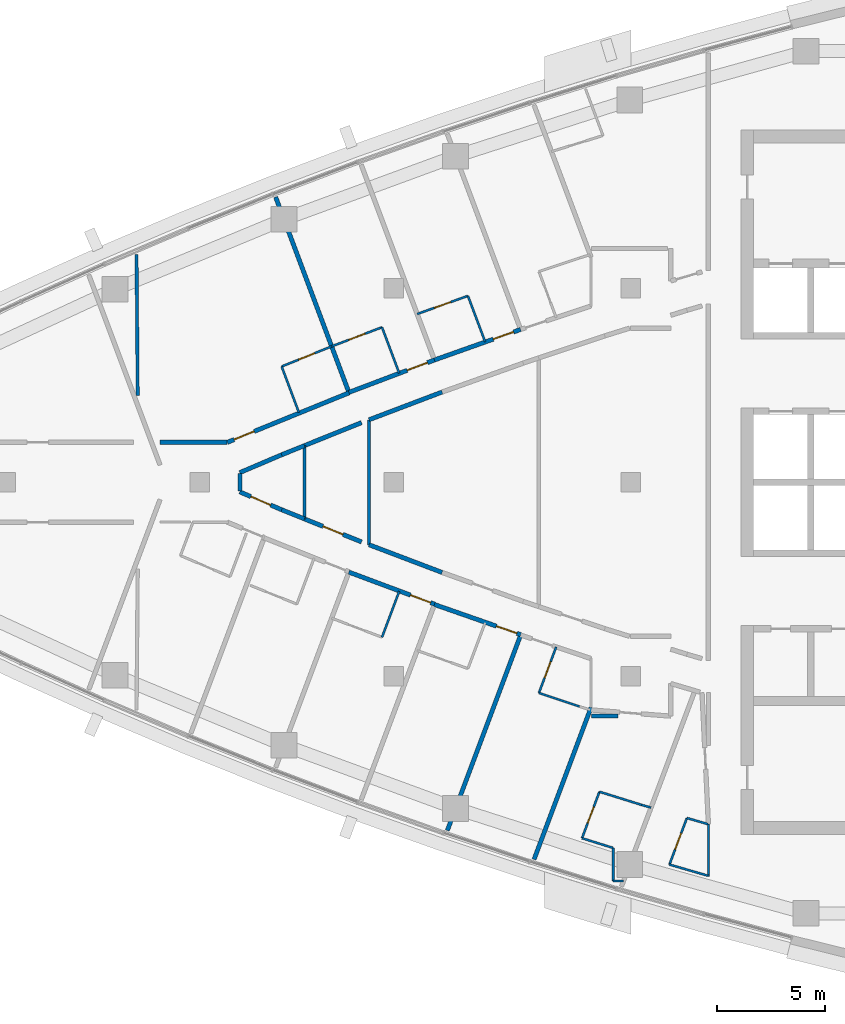
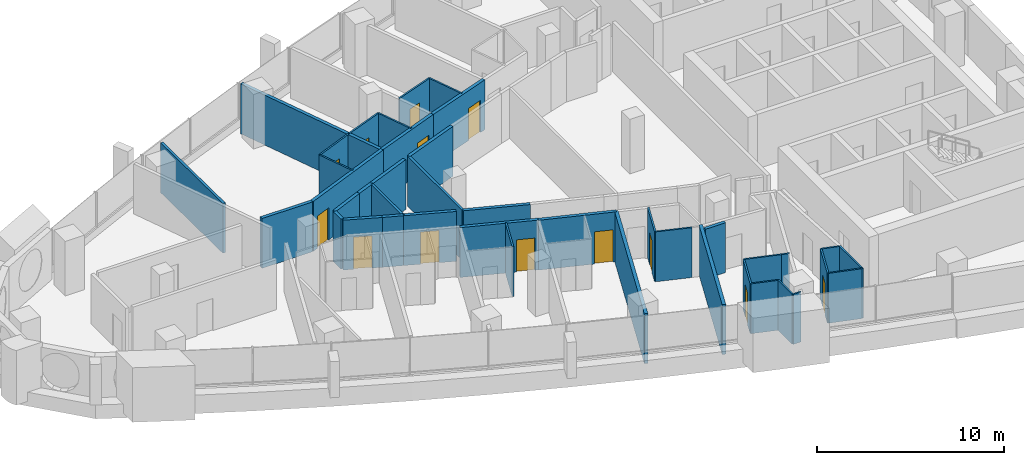
# One storey, part 9 of 16: 41 walls, 13 doors, 13 openings.
"""IFC4 building model written with IfcOpenShell, lengths in metres."""

from ifc_helpers import new_model, si_unit, direction, frame, frame_2d, origin, place, context, subcontext, project, spatial, rectangle, extrude, material, layer, layer_set, type_object, element, fill, save


model = new_model("IFC4")

# Units and contexts
model_context = context("Model", 3, precision=1e-05, world=origin(), true_north=direction((0.0, 1.0)))
body_context = subcontext(model_context, "Body", "Model", "MODEL_VIEW")
ifc_project = project(units=[si_unit("LENGTHUNIT", "METRE"), si_unit("AREAUNIT", "SQUARE_METRE"), si_unit("VOLUMEUNIT", "CUBIC_METRE"), si_unit("PLANEANGLEUNIT", "RADIAN"), si_unit("MASSUNIT", "GRAM", prefix="KILO")], contexts=[model_context])

# Site, building, storey
site_placement = place(None, origin())
site = spatial("IfcSite", under=ifc_project, at=site_placement, CompositionType="ELEMENT")
building_placement = place(site_placement, origin())
building = spatial("IfcBuilding", under=site, at=building_placement, Name="Ostrand Prow Hotel Tower", CompositionType="ELEMENT")
storey_placement = place(building_placement, frame((0.0, 0.0, 249.199951171875)))
storey = spatial("IfcBuildingStorey", under=building, at=storey_placement, Name="L63", CompositionType="ELEMENT", Elevation=249.199951171875)

# Wall, opening, door
ifc_material_1 = material(Name="Plasterboard partition")
ifc_layer_1 = layer(ifc_material_1, 0.10009765625)
ifc_layer_set_1 = layer_set([ifc_layer_1], Name="Plasterboard partition")
wall_type_1 = type_object("IfcWallType", Name="Partition 100 bathroom wall", PredefinedType="PARTITIONING", material=ifc_layer_set_1)
wall_1_placement = place(storey_placement, frame((28.79296875, 5.37158203125, 0.0), z_axis=(0.0, 0.0, 1.0), x_axis=(0.92761232595, 0.373544338394, 0.0)))
wall_1 = element("IfcWall", 1, at=wall_1_placement, inside=storey, type_object=wall_type_1, Name="BATHROOM WALL", PredefinedType="PARTITIONING", context=body_context, shape_type="SweptSolid", body=[
    extrude(rectangle(XDim=2.50048828125, YDim=0.10009765625, at=frame_2d((1.250244140625, 0.0))), origin(), (0.0, 0.0, 1.0), 3.25),
])
opening_1_placement = place(wall_1_placement, frame((0.85009765625, 0.0, 0.0)))
opening_1 = element("IfcOpeningElement", 2, at=opening_1_placement, cuts=wall_1, Name="Opening D2", PredefinedType="OPENING", context=body_context, shape_type="SweptSolid", body=[
    extrude(rectangle(XDim=0.800048828125, YDim=2.10009765625, at=frame_2d((0.39990234375, 1.050048828125))), frame((0.0, 0.06005859375, 0.0), z_axis=(0.0, -1.0, 0.0), x_axis=(1.0, 0.0, 0.0)), (0.0, 0.0, 1.0), 0.1201171875),
])
ifc_material_2 = material(Name="Timber door leaf", Category="wood")
door_type_1 = type_object("IfcDoorType", Name="Bathroom door 800", OperationType="SINGLE_SWING_LEFT", PredefinedType="DOOR", material=ifc_material_2)
door_1_placement = place(opening_1_placement, origin())
door_1 = element("IfcDoor", 3, at=door_1_placement, inside=storey, type_object=door_type_1, Name="DOOR", OperationType="SINGLE_SWING_LEFT", OverallHeight=2.10009765625, OverallWidth=0.800048828125, PredefinedType="DOOR", context=body_context, shape_type="SweptSolid", body=[
    extrude(rectangle(XDim=0.800048828125, YDim=2.10009765625, at=frame_2d((0.39990234375, 1.050048828125))), frame((0.0, 0.02490234375, 0.0), z_axis=(0.0, -1.0, 0.0), x_axis=(1.0, 0.0, 0.0)), (0.0, 0.0, 1.0), 0.050048828125),
])
fill(opening_1, door_1)

# Wall
wall_2_placement = place(storey_placement, frame((29.592529296875, 3.23876953125, 0.0), z_axis=(0.0, 0.0, 1.0), x_axis=(-0.351158682313, 0.936315961541, 0.0)))
element("IfcWall", 4, at=wall_2_placement, inside=storey, type_object=wall_type_1, Name="BATHROOM WALL", PredefinedType="PARTITIONING", context=body_context, shape_type="SweptSolid", body=[
    extrude(rectangle(XDim=2.277587890625, YDim=0.10009765625, at=frame_2d((1.138671875, 0.0))), origin(), (0.0, 0.0, 1.0), 3.25),
])

# Wall, opening, door
wall_3_placement = place(storey_placement, frame((31.117431640625, 6.3076171875, 0.0), z_axis=(0.0, 0.0, 1.0), x_axis=(0.93495051617, 0.354778145202, 0.0)))
wall_3 = element("IfcWall", 5, at=wall_3_placement, inside=storey, type_object=wall_type_1, Name="BATHROOM WALL", PredefinedType="PARTITIONING", context=body_context, shape_type="SweptSolid", body=[
    extrude(rectangle(XDim=2.49462890625, YDim=0.10009765625, at=frame_2d((1.247314453125, 0.0))), origin(), (0.0, 0.0, 1.0), 3.25),
])
opening_2_placement = place(wall_3_placement, frame((0.85009765625, 0.0, 0.0)))
opening_2 = element("IfcOpeningElement", 6, at=opening_2_placement, cuts=wall_3, Name="Opening D2", PredefinedType="OPENING", context=body_context, shape_type="SweptSolid", body=[
    extrude(rectangle(XDim=0.800048828125, YDim=2.10009765625, at=frame_2d((0.39990234375, 1.050048828125))), frame((0.0, 0.06005859375, 0.0), z_axis=(0.0, -1.0, 0.0), x_axis=(1.0, 0.0, 0.0)), (0.0, 0.0, 1.0), 0.1201171875),
])
door_2_placement = place(opening_2_placement, origin())
door_2 = element("IfcDoor", 7, at=door_2_placement, inside=storey, type_object=door_type_1, Name="DOOR", OperationType="SINGLE_SWING_LEFT", OverallHeight=2.10009765625, OverallWidth=0.800048828125, PredefinedType="DOOR", context=body_context, shape_type="SweptSolid", body=[
    extrude(rectangle(XDim=0.800048828125, YDim=2.10009765625, at=frame_2d((0.39990234375, 1.050048828125))), frame((0.0, 0.02490234375, 0.0), z_axis=(0.0, -1.0, 0.0), x_axis=(1.0, 0.0, 0.0)), (0.0, 0.0, 1.0), 0.050048828125),
])
fill(opening_2, door_2)

# Wall
wall_4_placement = place(storey_placement, frame((33.449951171875, 7.192626953125, 0.0), z_axis=(0.0, 0.0, 1.0), x_axis=(0.351135191353, -0.936324771323, 0.0)))
element("IfcWall", 8, at=wall_4_placement, inside=storey, type_object=wall_type_1, Name="BATHROOM WALL", PredefinedType="PARTITIONING", context=body_context, shape_type="SweptSolid", body=[
    extrude(rectangle(XDim=2.277099609375, YDim=0.10009765625, at=frame_2d((1.138671875, 0.0))), origin(), (0.0, 0.0, 1.0), 3.25),
])

# Wall, opening, door
wall_5_placement = place(storey_placement, frame((35.081298828125, 7.80810546875, 0.0), z_axis=(0.0, 0.0, 1.0), x_axis=(0.941896455552, 0.335903359641, 0.0)))
wall_5 = element("IfcWall", 9, at=wall_5_placement, inside=storey, type_object=wall_type_1, Name="BATHROOM WALL", PredefinedType="PARTITIONING", context=body_context, shape_type="SweptSolid", body=[
    extrude(rectangle(XDim=2.500244140625, YDim=0.10009765625, at=frame_2d((1.25, 0.0))), origin(), (0.0, 0.0, 1.0), 3.25),
])
opening_3_placement = place(wall_5_placement, frame((0.85009765625, 0.0, 0.0)))
opening_3 = element("IfcOpeningElement", 10, at=opening_3_placement, cuts=wall_5, Name="Opening D2", PredefinedType="OPENING", context=body_context, shape_type="SweptSolid", body=[
    extrude(rectangle(XDim=0.800048828125, YDim=2.10009765625, at=frame_2d((0.39990234375, 1.050048828125))), frame((0.0, 0.06005859375, 0.0), z_axis=(0.0, -1.0, 0.0), x_axis=(1.0, 0.0, 0.0)), (0.0, 0.0, 1.0), 0.1201171875),
])
door_3_placement = place(opening_3_placement, origin())
door_3 = element("IfcDoor", 11, at=door_3_placement, inside=storey, type_object=door_type_1, Name="DOOR", OperationType="SINGLE_SWING_LEFT", OverallHeight=2.10009765625, OverallWidth=0.800048828125, PredefinedType="DOOR", context=body_context, shape_type="SweptSolid", body=[
    extrude(rectangle(XDim=0.800048828125, YDim=2.10009765625, at=frame_2d((0.39990234375, 1.050048828125))), frame((0.0, 0.02490234375, 0.0), z_axis=(0.0, -1.0, 0.0), x_axis=(1.0, 0.0, 0.0)), (0.0, 0.0, 1.0), 0.050048828125),
])
fill(opening_3, door_3)

# Walls
for number, where, z_axis, x_axis, name in (
    (12, (37.436279296875, 8.647705078125, 0.0), (0.0, 0.0, 1.0), (0.351229183496, -0.936289517543, 0.0), "BATHROOM WALL"),
    (13, (34.24951171875, -5.060546875, 0.0), (0.0, 0.0, 1.0), (-0.351135191353, -0.936324771323, 0.0), "BATHROOM WALL"),
):
    element("IfcWall", number, at=place(storey_placement, frame(where, z_axis=z_axis, x_axis=x_axis)), inside=storey, type_object=wall_type_1, Name=name, PredefinedType="PARTITIONING", context=body_context, shape_type="SweptSolid", body=[
        extrude(rectangle(XDim=2.277099609375, YDim=0.10009765625, at=frame_2d((1.138671875, 0.0))), origin(), (0.0, 0.0, 1.0), 3.25),
    ])

# Wall, opening, door
wall_6_placement = place(storey_placement, frame((40.731689453125, -9.778564453125, 0.0), z_axis=(0.0, 0.0, 1.0), x_axis=(0.351146927505, 0.936320370014, 0.0)))
wall_6 = element("IfcWall", 14, at=wall_6_placement, inside=storey, type_object=wall_type_1, Name="BATHROOM WALL", PredefinedType="PARTITIONING", context=body_context, shape_type="SweptSolid", body=[
    extrude(rectangle(XDim=2.2783203125, YDim=0.10009765625, at=frame_2d((1.13916015625, 0.0))), origin(), (0.0, 0.0, 1.0), 3.25),
])
opening_4_placement = place(wall_6_placement, frame((0.75, 0.0, 0.0)))
opening_4 = element("IfcOpeningElement", 15, at=opening_4_placement, cuts=wall_6, Name="Opening D2", PredefinedType="OPENING", context=body_context, shape_type="SweptSolid", body=[
    extrude(rectangle(XDim=0.800048828125, YDim=2.10009765625, at=frame_2d((0.39990234375, 1.050048828125))), frame((0.0, 0.06005859375, 0.0), z_axis=(0.0, -1.0, 0.0), x_axis=(1.0, 0.0, 0.0)), (0.0, 0.0, 1.0), 0.1201171875),
])
door_4_placement = place(opening_4_placement, origin())
door_4 = element("IfcDoor", 16, at=door_4_placement, inside=storey, type_object=door_type_1, Name="DOOR", OperationType="SINGLE_SWING_LEFT", OverallHeight=2.10009765625, OverallWidth=0.800048828125, PredefinedType="DOOR", context=body_context, shape_type="SweptSolid", body=[
    extrude(rectangle(XDim=0.800048828125, YDim=2.10009765625, at=frame_2d((0.39990234375, 1.050048828125))), frame((0.0, 0.02490234375, 0.0), z_axis=(0.0, -1.0, 0.0), x_axis=(1.0, 0.0, 0.0)), (0.0, 0.0, 1.0), 0.050048828125),
])
fill(opening_4, door_4)

# Walls
wall_7_placement = place(storey_placement, frame((42.62060546875, -10.409423828125, 0.0), z_axis=(0.0, 0.0, 1.0), x_axis=(-0.948499248693, 0.316779379426, 0.0)))
element("IfcWall", 17, at=wall_7_placement, inside=storey, type_object=wall_type_1, Name="BATHROOM WALL", PredefinedType="PARTITIONING", context=body_context, shape_type="SweptSolid", body=[
    extrude(rectangle(XDim=1.991455078125, YDim=0.10009765625, at=frame_2d((0.99560546875, 0.0))), origin(), (0.0, 0.0, 1.0), 3.25),
])
wall_8_placement = place(storey_placement, frame((44.1767578125, -18.501220703125, 0.0), z_axis=(0.0, 0.0, 1.0), x_axis=(0.0, 1.0, 0.0)))
element("IfcWall", 18, at=wall_8_placement, inside=storey, type_object=wall_type_1, Name="BATHROOM WALL", PredefinedType="PARTITIONING", context=body_context, shape_type="SweptSolid", body=[
    extrude(rectangle(XDim=1.531005859375, YDim=0.10009765625, at=frame_2d((0.765625, 0.0))), origin(), (0.0, 0.0, 1.0), 3.25),
])
wall_9_placement = place(storey_placement, frame((44.1767578125, -16.97021484375, 0.0), z_axis=(0.0, 0.0, 1.0), x_axis=(-0.954631901927, 0.297788401091, 0.0)))
element("IfcWall", 19, at=wall_9_placement, inside=storey, type_object=wall_type_1, Name="BATHROOM WALL", PredefinedType="PARTITIONING", context=body_context, shape_type="SweptSolid", body=[
    extrude(rectangle(XDim=1.51416015625, YDim=0.10009765625, at=frame_2d((0.757080078125, 0.0))), origin(), (0.0, 0.0, 1.0), 3.25),
])

# Wall, opening, door
wall_10_placement = place(storey_placement, frame((42.731201171875, -16.519287109375, 0.0), z_axis=(0.0, 0.0, 1.0), x_axis=(0.351111827312, 0.936333532841, 0.0)))
wall_10 = element("IfcWall", 20, at=wall_10_placement, inside=storey, type_object=wall_type_1, Name="BATHROOM WALL", PredefinedType="PARTITIONING", context=body_context, shape_type="SweptSolid", body=[
    extrude(rectangle(XDim=2.3037109375, YDim=0.10009765625, at=frame_2d((1.15185546875, 0.0))), origin(), (0.0, 0.0, 1.0), 3.25),
])
opening_5_placement = place(wall_10_placement, frame((0.75, 0.0, 0.0)))
opening_5 = element("IfcOpeningElement", 21, at=opening_5_placement, cuts=wall_10, Name="Opening D2", PredefinedType="OPENING", context=body_context, shape_type="SweptSolid", body=[
    extrude(rectangle(XDim=0.800048828125, YDim=2.10009765625, at=frame_2d((0.39990234375, 1.050048828125))), frame((0.0, 0.06005859375, 0.0), z_axis=(0.0, -1.0, 0.0), x_axis=(1.0, 0.0, 0.0)), (0.0, 0.0, 1.0), 0.1201171875),
])
door_5_placement = place(opening_5_placement, origin())
door_5 = element("IfcDoor", 22, at=door_5_placement, inside=storey, type_object=door_type_1, Name="DOOR", OperationType="SINGLE_SWING_LEFT", OverallHeight=2.10009765625, OverallWidth=0.800048828125, PredefinedType="DOOR", context=body_context, shape_type="SweptSolid", body=[
    extrude(rectangle(XDim=0.800048828125, YDim=2.10009765625, at=frame_2d((0.39990234375, 1.050048828125))), frame((0.0, 0.02490234375, 0.0), z_axis=(0.0, -1.0, 0.0), x_axis=(1.0, 0.0, 0.0)), (0.0, 0.0, 1.0), 0.050048828125),
])
fill(opening_5, door_5)

# Walls
wall_11_placement = place(storey_placement, frame((43.5400390625, -14.3623046875, 0.0), z_axis=(0.0, 0.0, 1.0), x_axis=(0.954642821531, -0.297753393432, 0.0)))
element("IfcWall", 23, at=wall_11_placement, inside=storey, type_object=wall_type_1, Name="BATHROOM WALL", PredefinedType="PARTITIONING", context=body_context, shape_type="SweptSolid", body=[
    extrude(rectangle(XDim=2.05224609375, YDim=0.10009765625, at=frame_2d((1.026123046875, 0.0))), origin(), (0.0, 0.0, 1.0), 3.25),
])
wall_12_placement = place(storey_placement, frame((45.499267578125, -14.973388671875, 0.0), z_axis=(0.0, 0.0, 1.0), x_axis=(0.960560469191, -0.278071186978, 0.0)))
element("IfcWall", 24, at=wall_12_placement, inside=storey, type_object=wall_type_1, Name="BATHROOM WALL", PredefinedType="PARTITIONING", context=body_context, shape_type="SweptSolid", body=[
    extrude(rectangle(XDim=0.4521484375, YDim=0.10009765625, at=frame_2d((0.22607421875, 0.0))), origin(), (0.0, 0.0, 1.0), 3.25),
])
wall_13_placement = place(storey_placement, frame((44.658203125, -18.501220703125, 0.0), z_axis=(0.0, 0.0, 1.0), x_axis=(-1.0, 0.0, 0.0)))
element("IfcWall", 25, at=wall_13_placement, inside=storey, type_object=wall_type_1, Name="BATHROOM WALL", PredefinedType="PARTITIONING", context=body_context, shape_type="SweptSolid", body=[
    extrude(rectangle(XDim=0.4814453125, YDim=0.10009765625, at=frame_2d((0.24072265625, 0.0))), origin(), (0.0, 0.0, 1.0), 3.25),
])

# Wall, opening, door
wall_14_placement = place(storey_placement, frame((46.78759765625, -17.741455078125, 0.0), z_axis=(0.0, 0.0, 1.0), x_axis=(0.351158236187, 0.936316128857, 0.0)))
wall_14 = element("IfcWall", 26, at=wall_14_placement, inside=storey, type_object=wall_type_1, Name="BATHROOM WALL", PredefinedType="PARTITIONING", context=body_context, shape_type="SweptSolid", body=[
    extrude(rectangle(XDim=2.306884765625, YDim=0.10009765625, at=frame_2d((1.1533203125, 0.0))), origin(), (0.0, 0.0, 1.0), 3.25),
])
opening_6_placement = place(wall_14_placement, frame((0.75, 0.0, 0.0)))
opening_6 = element("IfcOpeningElement", 27, at=opening_6_placement, cuts=wall_14, Name="Opening D2", PredefinedType="OPENING", context=body_context, shape_type="SweptSolid", body=[
    extrude(rectangle(XDim=0.800048828125, YDim=2.10009765625, at=frame_2d((0.39990234375, 1.050048828125))), frame((0.0, 0.06005859375, 0.0), z_axis=(0.0, -1.0, 0.0), x_axis=(1.0, 0.0, 0.0)), (0.0, 0.0, 1.0), 0.1201171875),
])
door_6_placement = place(opening_6_placement, origin())
door_6 = element("IfcDoor", 28, at=door_6_placement, inside=storey, type_object=door_type_1, Name="DOOR", OperationType="SINGLE_SWING_LEFT", OverallHeight=2.10009765625, OverallWidth=0.800048828125, PredefinedType="DOOR", context=body_context, shape_type="SweptSolid", body=[
    extrude(rectangle(XDim=0.800048828125, YDim=2.10009765625, at=frame_2d((0.39990234375, 1.050048828125))), frame((0.0, 0.02490234375, 0.0), z_axis=(0.0, -1.0, 0.0), x_axis=(1.0, 0.0, 0.0)), (0.0, 0.0, 1.0), 0.050048828125),
])
fill(opening_6, door_6)

# Walls
wall_15_placement = place(storey_placement, frame((47.59765625, -15.58154296875, 0.0), z_axis=(0.0, 0.0, 1.0), x_axis=(0.960468222897, -0.278389642057, 0.0)))
element("IfcWall", 29, at=wall_15_placement, inside=storey, type_object=wall_type_1, Name="BATHROOM WALL", PredefinedType="PARTITIONING", context=body_context, shape_type="SweptSolid", body=[
    extrude(rectangle(XDim=1.01904296875, YDim=0.10009765625, at=frame_2d((0.509521484375, 0.0))), origin(), (0.0, 0.0, 1.0), 3.25),
])
wall_16_placement = place(storey_placement, frame((48.57763671875, -18.26025390625, 0.0), z_axis=(0.0, 0.0, 1.0), x_axis=(-0.960473980386, 0.278369777458, 0.0)))
element("IfcWall", 30, at=wall_16_placement, inside=storey, type_object=wall_type_1, Name="BATHROOM WALL", PredefinedType="PARTITIONING", context=body_context, shape_type="SweptSolid", body=[
    extrude(rectangle(XDim=1.86376953125, YDim=0.10009765625, at=frame_2d((0.931884765625, 0.0))), origin(), (0.0, 0.0, 1.0), 3.25),
])
wall_17_placement = place(storey_placement, frame((48.594970703125, -15.86572265625, 0.0), z_axis=(0.0, 0.0, 1.0), x_axis=(0.0, -1.0, 0.0)))
element("IfcWall", 31, at=wall_17_placement, inside=storey, type_object=wall_type_1, Name="BATHROOM WALL", PredefinedType="PARTITIONING", context=body_context, shape_type="SweptSolid", body=[
    extrude(rectangle(XDim=2.4306640625, YDim=0.10009765625, at=frame_2d((1.21533203125, 0.0))), origin(), (0.0, 0.0, 1.0), 3.25),
])
ifc_material_3 = material(Name="Plasterboard partition")
ifc_layer_2 = layer(ifc_material_3, 0.14990234375)
ifc_layer_set_2 = layer_set([ifc_layer_2], Name="Plasterboard partition")
wall_type_2 = type_object("IfcWallType", Name="Partition 150 room partition", PredefinedType="PARTITIONING", material=ifc_layer_set_2)
wall_18_placement = place(storey_placement, frame((29.85009765625, -1.70068359375, 0.0), z_axis=(0.0, 0.0, 1.0), x_axis=(0.0, 1.0, 0.0)))
element("IfcWall", 32, at=wall_18_placement, inside=storey, type_object=wall_type_2, Name="ROOM PARTITION", PredefinedType="PARTITIONING", context=body_context, shape_type="SweptSolid", body=[
    extrude(rectangle(XDim=3.4013671875, YDim=0.14990234375, at=frame_2d((1.70068359375, 0.0))), origin(), (0.0, 0.0, 1.0), 3.25),
])
wall_19_placement = place(storey_placement, frame((32.85009765625, -2.900634765625, 0.0), z_axis=(0.0, 0.0, 1.0), x_axis=(0.0, 1.0, 0.0)))
element("IfcWall", 33, at=wall_19_placement, inside=storey, type_object=wall_type_2, Name="ROOM PARTITION", PredefinedType="PARTITIONING", context=body_context, shape_type="SweptSolid", body=[
    extrude(rectangle(XDim=5.80126953125, YDim=0.14990234375, at=frame_2d((2.900634765625, 0.0))), origin(), (0.0, 0.0, 1.0), 3.25),
])
wall_20_placement = place(storey_placement, frame((22.057373046875, 10.577880859375, 0.0), z_axis=(0.0, 0.0, 1.0), x_axis=(0.008379594055, -0.999964890585, 0.0)))
element("IfcWall", 34, at=wall_20_placement, inside=storey, type_object=wall_type_2, Name="ROOM PARTITION", PredefinedType="PARTITIONING", context=body_context, shape_type="SweptSolid", body=[
    extrude(rectangle(XDim=6.555419921875, YDim=0.14990234375, at=frame_2d((3.27783203125, 0.0))), origin(), (0.0, 0.0, 1.0), 3.25),
])

# Wall, opening, door
ifc_material_4 = material(Name="Plasterboard partition")
ifc_layer_3 = layer(ifc_material_4, 0.199951171875)
ifc_layer_set_3 = layer_set([ifc_layer_3], Name="Plasterboard partition")
wall_type_3 = type_object("IfcWallType", Name="Partition 200 corridor wall", PredefinedType="PARTITIONING", material=ifc_layer_set_3)
wall_21_placement = place(storey_placement, frame((26.265869140625, 1.85009765625, 0.0), z_axis=(0.0, 0.0, 1.0), x_axis=(0.926231512449, 0.376955150311, 0.0)))
wall_21 = element("IfcWall", 35, at=wall_21_placement, inside=storey, type_object=wall_type_3, Name="CORRIDOR WALL", PredefinedType="PARTITIONING", context=body_context, shape_type="SweptSolid", body=[
    extrude(rectangle(XDim=6.10498046875, YDim=0.199951171875, at=frame_2d((3.052490234375, 0.0))), origin(), (0.0, 0.0, 1.0), 3.25),
])
opening_7_placement = place(wall_21_placement, frame((0.35009765625, 0.0, 0.0)))
opening_7 = element("IfcOpeningElement", 36, at=opening_7_placement, cuts=wall_21, Name="Opening D1", PredefinedType="OPENING", context=body_context, shape_type="SweptSolid", body=[
    extrude(rectangle(XDim=1.0, YDim=2.10009765625, at=frame_2d((0.5, 1.050048828125))), frame((0.0, 0.10986328125, 0.0), z_axis=(0.0, -1.0, 0.0), x_axis=(1.0, 0.0, 0.0)), (0.0, 0.0, 1.0), 0.219970703125),
])
ifc_material_5 = material(Name="Timber door leaf", Category="wood")
door_type_2 = type_object("IfcDoorType", Name="Guest room door 1000", OperationType="SINGLE_SWING_LEFT", PredefinedType="DOOR", material=ifc_material_5)
door_7_placement = place(opening_7_placement, origin())
door_7 = element("IfcDoor", 37, at=door_7_placement, inside=storey, type_object=door_type_2, Name="DOOR", OperationType="SINGLE_SWING_LEFT", OverallHeight=2.10009765625, OverallWidth=1.0, PredefinedType="DOOR", context=body_context, shape_type="SweptSolid", body=[
    extrude(rectangle(XDim=1.0, YDim=2.10009765625, at=frame_2d((0.5, 1.050048828125))), frame((0.0, 0.02490234375, 0.0), z_axis=(0.0, -1.0, 0.0), x_axis=(1.0, 0.0, 0.0)), (0.0, 0.0, 1.0), 0.050048828125),
])
fill(opening_7, door_7)

wall_22_placement = place(storey_placement, frame((35.882080078125, 5.673095703125, 0.0), z_axis=(0.0, 0.0, 1.0), x_axis=(-0.935189471058, -0.354147784438, 0.0)))
wall_22 = element("IfcWall", 38, at=wall_22_placement, inside=storey, type_object=wall_type_3, Name="CORRIDOR WALL", PredefinedType="PARTITIONING", context=body_context, shape_type="SweptSolid", body=[
    extrude(rectangle(XDim=4.243896484375, YDim=0.199951171875, at=frame_2d((2.1220703125, 0.0))), origin(), (0.0, 0.0, 1.0), 3.25),
])
opening_8_placement = place(wall_22_placement, frame((0.35009765625, 0.0, 0.0)))
opening_8 = element("IfcOpeningElement", 39, at=opening_8_placement, cuts=wall_22, Name="Opening D1", PredefinedType="OPENING", context=body_context, shape_type="SweptSolid", body=[
    extrude(rectangle(XDim=1.0, YDim=2.10009765625, at=frame_2d((0.5, 1.050048828125))), frame((0.0, 0.10986328125, 0.0), z_axis=(0.0, -1.0, 0.0), x_axis=(1.0, 0.0, 0.0)), (0.0, 0.0, 1.0), 0.219970703125),
])
door_8_placement = place(opening_8_placement, origin())
door_8 = element("IfcDoor", 40, at=door_8_placement, inside=storey, type_object=door_type_2, Name="DOOR", OperationType="SINGLE_SWING_LEFT", OverallHeight=2.10009765625, OverallWidth=1.0, PredefinedType="DOOR", context=body_context, shape_type="SweptSolid", body=[
    extrude(rectangle(XDim=1.0, YDim=2.10009765625, at=frame_2d((0.5, 1.050048828125))), frame((0.0, 0.02490234375, 0.0), z_axis=(0.0, -1.0, 0.0), x_axis=(1.0, 0.0, 0.0)), (0.0, 0.0, 1.0), 0.050048828125),
])
fill(opening_8, door_8)

wall_23_placement = place(storey_placement, frame((39.88232421875, 7.091064453125, 0.0), z_axis=(0.0, 0.0, 1.0), x_axis=(-0.942537055217, -0.334101630559, 0.0)))
wall_23 = element("IfcWall", 41, at=wall_23_placement, inside=storey, type_object=wall_type_3, Name="CORRIDOR WALL", PredefinedType="PARTITIONING", context=body_context, shape_type="SweptSolid", body=[
    extrude(rectangle(XDim=4.244140625, YDim=0.199951171875, at=frame_2d((2.1220703125, 0.0))), origin(), (0.0, 0.0, 1.0), 3.25),
])
opening_9_placement = place(wall_23_placement, frame((0.35009765625, 0.0, 0.0)))
opening_9 = element("IfcOpeningElement", 42, at=opening_9_placement, cuts=wall_23, Name="Opening D1", PredefinedType="OPENING", context=body_context, shape_type="SweptSolid", body=[
    extrude(rectangle(XDim=1.0, YDim=2.10009765625, at=frame_2d((0.5, 1.050048828125))), frame((0.0, 0.10986328125, 0.0), z_axis=(0.0, -1.0, 0.0), x_axis=(1.0, 0.0, 0.0)), (0.0, 0.0, 1.0), 0.219970703125),
])
door_9_placement = place(opening_9_placement, origin())
door_9 = element("IfcDoor", 43, at=door_9_placement, inside=storey, type_object=door_type_2, Name="DOOR", OperationType="SINGLE_SWING_LEFT", OverallHeight=2.10009765625, OverallWidth=1.0, PredefinedType="DOOR", context=body_context, shape_type="SweptSolid", body=[
    extrude(rectangle(XDim=1.0, YDim=2.10009765625, at=frame_2d((0.5, 1.050048828125))), frame((0.0, 0.02490234375, 0.0), z_axis=(0.0, -1.0, 0.0), x_axis=(1.0, 0.0, 0.0)), (0.0, 0.0, 1.0), 0.050048828125),
])
fill(opening_9, door_9)

wall_24_placement = place(storey_placement, frame((31.913330078125, -4.170166015625, 0.0), z_axis=(0.0, 0.0, 1.0), x_axis=(0.936848300955, -0.349735987565, 0.0)))
wall_24 = element("IfcWall", 44, at=wall_24_placement, inside=storey, type_object=wall_type_3, Name="CORRIDOR WALL", PredefinedType="PARTITIONING", context=body_context, shape_type="SweptSolid", body=[
    extrude(rectangle(XDim=4.24365234375, YDim=0.199951171875, at=frame_2d((2.121826171875, 0.0))), origin(), (0.0, 0.0, 1.0), 3.25),
])
opening_10_placement = place(wall_24_placement, frame((3.050048828125, 0.0, 0.0)))
opening_10 = element("IfcOpeningElement", 45, at=opening_10_placement, cuts=wall_24, Name="Opening D1", PredefinedType="OPENING", context=body_context, shape_type="SweptSolid", body=[
    extrude(rectangle(XDim=1.0, YDim=2.10009765625, at=frame_2d((0.5, 1.050048828125))), frame((0.0, 0.10986328125, 0.0), z_axis=(0.0, -1.0, 0.0), x_axis=(1.0, 0.0, 0.0)), (0.0, 0.0, 1.0), 0.219970703125),
])
door_10_placement = place(opening_10_placement, origin())
door_10 = element("IfcDoor", 46, at=door_10_placement, inside=storey, type_object=door_type_2, Name="DOOR", OperationType="SINGLE_SWING_LEFT", OverallHeight=2.10009765625, OverallWidth=1.0, PredefinedType="DOOR", context=body_context, shape_type="SweptSolid", body=[
    extrude(rectangle(XDim=1.0, YDim=2.10009765625, at=frame_2d((0.5, 1.050048828125))), frame((0.0, 0.02490234375, 0.0), z_axis=(0.0, -1.0, 0.0), x_axis=(1.0, 0.0, 0.0)), (0.0, 0.0, 1.0), 0.050048828125),
])
fill(opening_10, door_10)

wall_25_placement = place(storey_placement, frame((35.882080078125, -5.673095703125, 0.0), z_axis=(0.0, 0.0, 1.0), x_axis=(0.944107376821, -0.329638075823, 0.0)))
wall_25 = element("IfcWall", 47, at=wall_25_placement, inside=storey, type_object=wall_type_3, Name="CORRIDOR WALL", PredefinedType="PARTITIONING", context=body_context, shape_type="SweptSolid", body=[
    extrude(rectangle(XDim=4.24462890625, YDim=0.199951171875, at=frame_2d((2.122314453125, 0.0))), origin(), (0.0, 0.0, 1.0), 3.25),
])
opening_11_placement = place(wall_25_placement, frame((3.050048828125, 0.0, 0.0)))
opening_11 = element("IfcOpeningElement", 48, at=opening_11_placement, cuts=wall_25, Name="Opening D1", PredefinedType="OPENING", context=body_context, shape_type="SweptSolid", body=[
    extrude(rectangle(XDim=1.0, YDim=2.10009765625, at=frame_2d((0.5, 1.050048828125))), frame((0.0, 0.10986328125, 0.0), z_axis=(0.0, -1.0, 0.0), x_axis=(1.0, 0.0, 0.0)), (0.0, 0.0, 1.0), 0.219970703125),
])
door_11_placement = place(opening_11_placement, origin())
door_11 = element("IfcDoor", 49, at=door_11_placement, inside=storey, type_object=door_type_2, Name="DOOR", OperationType="SINGLE_SWING_LEFT", OverallHeight=2.10009765625, OverallWidth=1.0, PredefinedType="DOOR", context=body_context, shape_type="SweptSolid", body=[
    extrude(rectangle(XDim=1.0, YDim=2.10009765625, at=frame_2d((0.5, 1.050048828125))), frame((0.0, 0.02490234375, 0.0), z_axis=(0.0, -1.0, 0.0), x_axis=(1.0, 0.0, 0.0)), (0.0, 0.0, 1.0), 0.050048828125),
])
fill(opening_11, door_11)

wall_26_placement = place(storey_placement, frame((28.795654296875, -1.276123046875, 0.0), z_axis=(0.0, 0.0, 1.0), x_axis=(-0.91990756443, 0.392135273732, 0.0)))
wall_26 = element("IfcWall", 50, at=wall_26_placement, inside=storey, type_object=wall_type_3, Name="CORRIDOR WALL", PredefinedType="PARTITIONING", context=body_context, shape_type="SweptSolid", body=[
    extrude(rectangle(XDim=2.114990234375, YDim=0.199951171875, at=frame_2d((1.0576171875, 0.0))), origin(), (0.0, 0.0, 1.0), 3.25),
])
opening_12_placement = place(wall_26_placement, frame((0.5576171875, 0.0, 0.0)))
opening_12 = element("IfcOpeningElement", 51, at=opening_12_placement, cuts=wall_26, Name="Opening D1R", PredefinedType="OPENING", context=body_context, shape_type="SweptSolid", body=[
    extrude(rectangle(XDim=1.0, YDim=2.10009765625, at=frame_2d((0.5, 1.050048828125))), frame((0.0, 0.10986328125, 0.0), z_axis=(0.0, -1.0, 0.0), x_axis=(1.0, 0.0, 0.0)), (0.0, 0.0, 1.0), 0.219970703125),
])
ifc_material_6 = material(Name="Timber door leaf", Category="wood")
door_type_3 = type_object("IfcDoorType", Name="Guest room door 1000 right", OperationType="SINGLE_SWING_RIGHT", PredefinedType="DOOR", material=ifc_material_6)
door_12_placement = place(opening_12_placement, origin())
door_12 = element("IfcDoor", 52, at=door_12_placement, inside=storey, type_object=door_type_3, Name="DOOR", OperationType="SINGLE_SWING_RIGHT", OverallHeight=2.10009765625, OverallWidth=1.0, PredefinedType="DOOR", context=body_context, shape_type="SweptSolid", body=[
    extrude(rectangle(XDim=1.0, YDim=2.10009765625, at=frame_2d((0.5, 1.050048828125))), frame((0.0, 0.02490234375, 0.0), z_axis=(0.0, -1.0, 0.0), x_axis=(1.0, 0.0, 0.0)), (0.0, 0.0, 1.0), 0.050048828125),
])
fill(opening_12, door_12)

# Walls
wall_27_placement = place(storey_placement, frame((26.85009765625, 0.44677734375, 0.0), z_axis=(0.0, 0.0, 1.0), x_axis=(0.91990756443, 0.392135273732, 0.0)))
element("IfcWall", 53, at=wall_27_placement, inside=storey, type_object=wall_type_3, Name="CORRIDOR WALL", PredefinedType="PARTITIONING", context=body_context, shape_type="SweptSolid", body=[
    extrude(rectangle(XDim=2.114990234375, YDim=0.199951171875, at=frame_2d((1.0576171875, 0.0))), origin(), (0.0, 0.0, 1.0), 3.25),
])
for number, where, z_axis, x_axis, name in (
    (54, (28.795654296875, 1.276123046875, 0.0), (0.0, 0.0, 1.0), (0.927629988441, 0.373500474624, 0.0), "CORRIDOR WALL"),
    (55, (29.85009765625, -1.70068359375, 0.0), (0.0, 0.0, 1.0), (-0.927629988441, 0.373500474624, 0.0), "CORRIDOR WALL"),
):
    element("IfcWall", number, at=place(storey_placement, frame(where, z_axis=z_axis, x_axis=x_axis)), inside=storey, type_object=wall_type_3, Name=name, PredefinedType="PARTITIONING", context=body_context, shape_type="SweptSolid", body=[
        extrude(rectangle(XDim=1.13671875, YDim=0.199951171875, at=frame_2d((0.568359375, 0.0))), origin(), (0.0, 0.0, 1.0), 3.25),
    ])

# Wall, opening, door
wall_28_placement = place(storey_placement, frame((32.50146484375, -2.768310546875, 0.0), z_axis=(0.0, 0.0, 1.0), x_axis=(-0.927620073141, 0.373525099433, 0.0)))
wall_28 = element("IfcWall", 56, at=wall_28_placement, inside=storey, type_object=wall_type_3, Name="CORRIDOR WALL", PredefinedType="PARTITIONING", context=body_context, shape_type="SweptSolid", body=[
    extrude(rectangle(XDim=2.858154296875, YDim=0.199951171875, at=frame_2d((1.42919921875, 0.0))), origin(), (0.0, 0.0, 1.0), 3.25),
])
opening_13_placement = place(wall_28_placement, frame((0.92919921875, 0.0, 0.0)))
opening_13 = element("IfcOpeningElement", 57, at=opening_13_placement, cuts=wall_28, Name="Opening D1", PredefinedType="OPENING", context=body_context, shape_type="SweptSolid", body=[
    extrude(rectangle(XDim=1.0, YDim=2.10009765625, at=frame_2d((0.5, 1.050048828125))), frame((0.0, 0.10986328125, 0.0), z_axis=(0.0, -1.0, 0.0), x_axis=(1.0, 0.0, 0.0)), (0.0, 0.0, 1.0), 0.219970703125),
])
door_13_placement = place(opening_13_placement, origin())
door_13 = element("IfcDoor", 58, at=door_13_placement, inside=storey, type_object=door_type_2, Name="DOOR", OperationType="SINGLE_SWING_LEFT", OverallHeight=2.10009765625, OverallWidth=1.0, PredefinedType="DOOR", context=body_context, shape_type="SweptSolid", body=[
    extrude(rectangle(XDim=1.0, YDim=2.10009765625, at=frame_2d((0.5, 1.050048828125))), frame((0.0, 0.02490234375, 0.0), z_axis=(0.0, -1.0, 0.0), x_axis=(1.0, 0.0, 0.0)), (0.0, 0.0, 1.0), 0.050048828125),
])
fill(opening_13, door_13)

# Walls
wall_29_placement = place(storey_placement, frame((29.85009765625, 1.70068359375, 0.0), z_axis=(0.0, 0.0, 1.0), x_axis=(0.927620073141, 0.373525099433, 0.0)))
element("IfcWall", 59, at=wall_29_placement, inside=storey, type_object=wall_type_3, Name="CORRIDOR WALL", PredefinedType="PARTITIONING", context=body_context, shape_type="SweptSolid", body=[
    extrude(rectangle(XDim=2.858154296875, YDim=0.199951171875, at=frame_2d((1.42919921875, 0.0))), origin(), (0.0, 0.0, 1.0), 3.25),
])
for number, where, z_axis, x_axis, name in (
    (60, (36.236328125, -4.185546875, 0.0), (0.0, 0.0, 1.0), (-0.934953584606, 0.354770058816, 0.0), "CORRIDOR WALL"),
    (61, (32.85009765625, 2.900634765625, 0.0), (0.0, 0.0, 1.0), (0.934953584606, 0.354770058816, 0.0), "CORRIDOR WALL"),
):
    element("IfcWall", number, at=place(storey_placement, frame(where, z_axis=z_axis, x_axis=x_axis)), inside=storey, type_object=wall_type_3, Name=name, PredefinedType="PARTITIONING", context=body_context, shape_type="SweptSolid", body=[
        extrude(rectangle(XDim=3.621826171875, YDim=0.199951171875, at=frame_2d((1.81103515625, 0.0))), origin(), (0.0, 0.0, 1.0), 3.25),
    ])
wall_30_placement = place(storey_placement, frame((26.85498046875, -0.406982421875, 0.0), z_axis=(0.0, 0.0, 1.0), x_axis=(0.0, 1.0, 0.0)))
element("IfcWall", 62, at=wall_30_placement, inside=storey, type_object=wall_type_3, Name="CORRIDOR WALL", PredefinedType="PARTITIONING", context=body_context, shape_type="SweptSolid", body=[
    extrude(rectangle(XDim=0.81396484375, YDim=0.199951171875, at=frame_2d((0.406982421875, 0.0))), origin(), (0.0, 0.0, 1.0), 3.25),
])
wall_31_placement = place(storey_placement, frame((26.265869140625, 1.85009765625, 0.0), z_axis=(0.0, 0.0, 1.0), x_axis=(-0.999999006581, 0.001409552241, 0.0)))
element("IfcWall", 63, at=wall_31_placement, inside=storey, type_object=wall_type_3, Name="CORRIDOR WALL", PredefinedType="PARTITIONING", context=body_context, shape_type="SweptSolid", body=[
    extrude(rectangle(XDim=3.11767578125, YDim=0.199951171875, at=frame_2d((1.558837890625, 0.0))), origin(), (0.0, 0.0, 1.0), 3.25),
])
wall_32_placement = place(storey_placement, frame((44.39599609375, -10.85009765625, 0.0), z_axis=(0.0, 0.0, 1.0), x_axis=(-1.0, 0.0, 0.0)))
element("IfcWall", 64, at=wall_32_placement, inside=storey, type_object=wall_type_3, Name="CORRIDOR WALL", PredefinedType="PARTITIONING", context=body_context, shape_type="SweptSolid", body=[
    extrude(rectangle(XDim=1.23583984375, YDim=0.199951171875, at=frame_2d((0.617919921875, 0.0))), origin(), (0.0, 0.0, 1.0), 3.25),
])
ifc_material_7 = material(Name="Plasterboard partition")
ifc_layer_4 = layer(ifc_material_7, 0.199951171875)
ifc_layer_set_4 = layer_set([ifc_layer_4], Name="Plasterboard partition")
wall_type_4 = type_object("IfcWallType", Name="Partition 200 key partition", PredefinedType="PARTITIONING", material=ifc_layer_set_4)
wall_33_placement = place(storey_placement, frame((31.92041015625, 4.1513671875, 0.0), z_axis=(0.0, 0.0, 1.0), x_axis=(-0.351126199585, 0.936328143316, 0.0)))
element("IfcWall", 65, at=wall_33_placement, inside=storey, type_object=wall_type_4, Name="KEY PARTITION", PredefinedType="PARTITIONING", context=body_context, shape_type="SweptSolid", body=[
    extrude(rectangle(XDim=9.700927734375, YDim=0.199951171875, at=frame_2d((4.8505859375, 0.0))), origin(), (0.0, 0.0, 1.0), 3.25),
])
wall_34_placement = place(storey_placement, frame((36.481201171875, -16.16064453125, 0.0), z_axis=(0.0, 0.0, 1.0), x_axis=(0.35112895446, 0.936327110224, 0.0)))
element("IfcWall", 66, at=wall_34_placement, inside=storey, type_object=wall_type_4, Name="KEY PARTITION", PredefinedType="PARTITIONING", context=body_context, shape_type="SweptSolid", body=[
    extrude(rectangle(XDim=9.706298828125, YDim=0.199951171875, at=frame_2d((4.85302734375, 0.0))), origin(), (0.0, 0.0, 1.0), 3.25),
])
wall_35_placement = place(storey_placement, frame((40.505615234375, -17.50146484375, 0.0), z_axis=(0.0, 0.0, 1.0), x_axis=(0.351119888923, 0.936330509811, 0.0)))
element("IfcWall", 67, at=wall_35_placement, inside=storey, type_object=wall_type_4, Name="KEY PARTITION", PredefinedType="PARTITIONING", context=body_context, shape_type="SweptSolid", body=[
    extrude(rectangle(XDim=7.531005859375, YDim=0.199951171875, at=frame_2d((3.765625, 0.0))), origin(), (0.0, 0.0, 1.0), 3.25),
])

save(model, "model.ifc")
